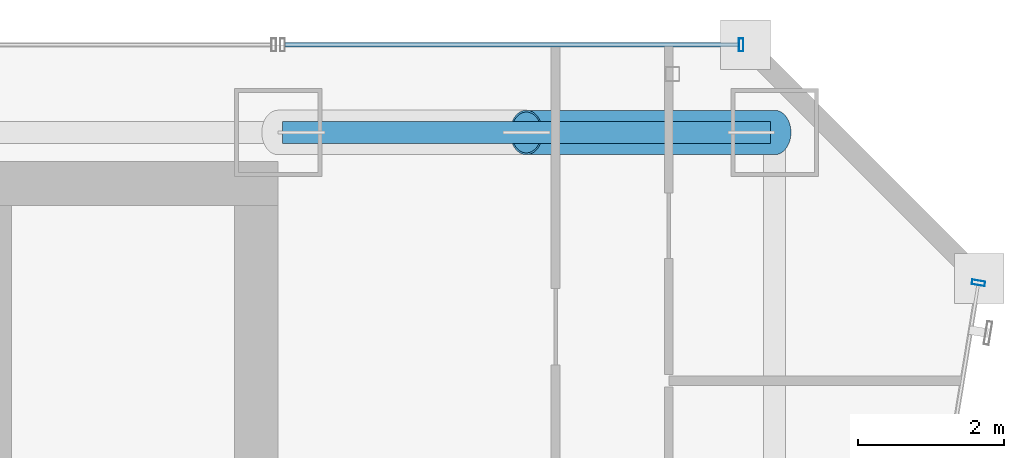
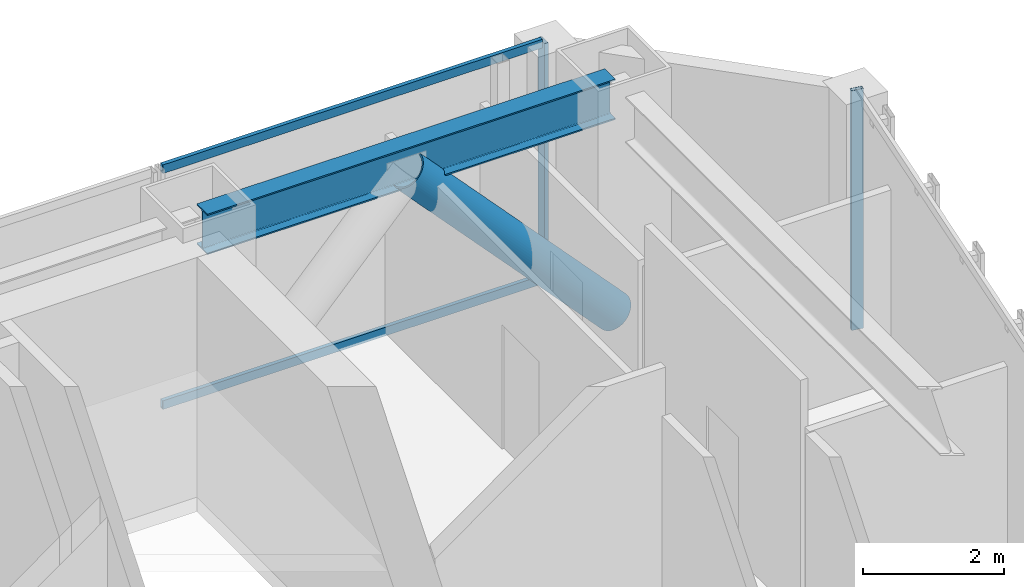
# One storey, part 33 of 47: 5 members, 1 beam, 2 elements without a shape of their own.
"""IFC4 building model written with IfcOpenShell, lengths in metres."""

import ifcopenshell
import ifcopenshell.guid

model = None  # the IFC model being written
_history = None  # IfcOwnerHistory: only IFC2X3 demands one
_inside = {}  # id of a spatial element -> (the spatial element, [elements in it])
_under = {}  # id of a project, library or spatial element -> (it, [spatial elements below it])
_declared = {}  # id of a project -> (the project, [libraries it declares])
_typed = {}  # id of a type object -> (the type object, [elements of that type])
_made_of = {}  # id of a material, layer set ... -> (it, [elements and type objects made of it])


def new_model(schema):
    """Start an empty IFC model of exactly this schema.

    Asked for "IFC4X3", IfcOpenShell would pick the latest addendum, in which some entities
    have other attributes; the version numbers below select the first issue.
    IFC2X3 requires an IfcOwnerHistory on every rooted entity: one is made here for all.
    """
    global model, _history
    if schema == "IFC4X3":
        model = ifcopenshell.file(schema_version=(4, 3, 0, 0))
    else:
        model = ifcopenshell.file(schema=schema)
    _inside.clear()
    _under.clear()
    _declared.clear()
    _typed.clear()
    _made_of.clear()
    _history = None
    if model.schema == "IFC2X3":
        org = make("IfcOrganization", Name="unknown")
        user = make(
            "IfcPersonAndOrganization",
            ThePerson=make("IfcPerson", FamilyName="unknown"),
            TheOrganization=org,
        )
        app = make(
            "IfcApplication",
            ApplicationDeveloper=org,
            Version="unknown",
            ApplicationFullName="unknown",
            ApplicationIdentifier="unknown",
        )
        _history = make(
            "IfcOwnerHistory",
            OwningUser=user,
            OwningApplication=app,
            ChangeAction="ADDED",
            CreationDate=0,
        )
    return model


def make(cls, **values):
    """One entity of the class cls with the attributes given. An attribute that is None is left unset."""
    return model.create_entity(
        cls, **{name: value for name, value in values.items() if value is not None}
    )


def rooted(cls, **values):
    """An entity with a GlobalId (a new one), such as an element, a storey or a relation."""
    return make(cls, GlobalId=ifcopenshell.guid.new(), OwnerHistory=_history, **values)


def si_unit(unit_type, name, prefix=None):
    """IfcSIUnit, for example si_unit("LENGTHUNIT", "METRE", prefix="MILLI")."""
    return make("IfcSIUnit", UnitType=unit_type, Prefix=prefix, Name=name)


def assignment(units):
    """IfcUnitAssignment: the units of a project."""
    return None if units is None else make("IfcUnitAssignment", Units=units)


def point(xyz):
    """IfcCartesianPoint."""
    return None if xyz is None else make("IfcCartesianPoint", Coordinates=xyz)


def direction(xyz):
    """IfcDirection."""
    return None if xyz is None else make("IfcDirection", DirectionRatios=xyz)


def frame(location, z_axis=None, x_axis=None):
    """IfcAxis2Placement3D, a coordinate frame: its origin and axes. An axis left out is left unset."""
    return make(
        "IfcAxis2Placement3D",
        Location=point(location),
        Axis=direction(z_axis),
        RefDirection=direction(x_axis),
    )


def frame_2d(location, x_axis=None):
    """IfcAxis2Placement2D, a coordinate frame in the plane: its origin and x axis."""
    return make(
        "IfcAxis2Placement2D", Location=point(location), RefDirection=direction(x_axis)
    )


def origin():
    """The frame at (0, 0, 0) with its axes left unset."""
    return frame((0.0, 0.0, 0.0))


def origin_2d():
    """The frame at (0, 0) in the plane with its x axis left unset."""
    return frame_2d((0.0, 0.0))


def place(relative_to, where):
    """IfcLocalPlacement: puts the frame where relative to a parent placement (None: the world)."""
    return make(
        "IfcLocalPlacement", PlacementRelTo=relative_to, RelativePlacement=where
    )


def context(
    kind, dimensions, precision=None, world=None, true_north=None, identifier=None
):
    """IfcGeometricRepresentationContext, for example the 3D "Model" context."""
    return make(
        "IfcGeometricRepresentationContext",
        ContextIdentifier=identifier,
        ContextType=kind,
        CoordinateSpaceDimension=dimensions,
        Precision=precision,
        WorldCoordinateSystem=world,
        TrueNorth=true_north,
    )


def subcontext(parent, identifier, kind, view, scale=None):
    """IfcGeometricRepresentationSubContext, for example "Body" below "Model"."""
    return make(
        "IfcGeometricRepresentationSubContext",
        ContextIdentifier=identifier,
        ContextType=kind,
        ParentContext=parent,
        TargetScale=scale,
        TargetView=view,
    )


def project(units=None, contexts=None):
    """IfcProject with its units and contexts."""
    return rooted(
        "IfcProject",
        Name="project",
        RepresentationContexts=contexts,
        UnitsInContext=assignment(units),
    )


def spatial(cls, under=None, at=None, **own):
    """A site, building, storey or space (cls), placed at a placement, below another one or the project."""
    s = rooted(cls, ObjectPlacement=at, **own)
    if under is not None:
        _under.setdefault(under.id(), (under, []))[1].append(s)
    return s


def profile(cls, at=None, kind="AREA", **sizes):
    """A parametric profile (cls). Its sizes go by their IFC names, for example OverallWidth=200.0."""
    return make(cls, ProfileType=kind, Position=at, **sizes)


def hollow_rectangle(**sizes):
    """IfcRectangleHollowProfileDef."""
    return profile("IfcRectangleHollowProfileDef", **sizes)


def hollow_circle(**sizes):
    """IfcCircleHollowProfileDef."""
    return profile("IfcCircleHollowProfileDef", **sizes)


def i_section(**sizes):
    """IfcIShapeProfileDef."""
    return profile("IfcIShapeProfileDef", **sizes)


def extrude(swept, where, along, depth):
    """IfcExtrudedAreaSolid: the profile swept, set in the frame where, extruded along a direction by depth."""
    return make(
        "IfcExtrudedAreaSolid",
        SweptArea=swept,
        Position=where,
        ExtrudedDirection=direction(along),
        Depth=depth,
    )


def shape(context_of_items, identifier, shape_type, items):
    """IfcShapeRepresentation: the items that make up one representation, for example the "Body"."""
    return make(
        "IfcShapeRepresentation",
        ContextOfItems=context_of_items,
        RepresentationIdentifier=identifier,
        RepresentationType=shape_type,
        Items=items,
    )


def material(Name=None, Category=None):
    """IfcMaterial."""
    return make("IfcMaterial", Name=Name, Category=Category)


def material_profile(
    of_material, cross_section, Name=None, Category=None, Priority=None
):
    """IfcMaterialProfile: a cross section and its material."""
    return make(
        "IfcMaterialProfile",
        Name=Name,
        Material=of_material,
        Profile=cross_section,
        Priority=Priority,
        Category=Category,
    )


def profile_set(profiles, Name=None, composite=None):
    """IfcMaterialProfileSet."""
    return make(
        "IfcMaterialProfileSet",
        Name=Name,
        MaterialProfiles=profiles,
        CompositeProfile=composite,
    )


def made_of(thing, what):
    """Note that an element or type object is made of a material, layer set ...; save() writes the relation."""
    if what is not None:
        _made_of.setdefault(what.id(), (what, []))[1].append(thing)
    return thing


def type_object(cls, material=None, **own):
    """A type object (cls), such as IfcWallType, which elements share."""
    return made_of(rooted(cls, **own), material)


def element(
    cls,
    number,
    at=None,
    inside=None,
    cuts=None,
    type_object=None,
    material=None,
    context=None,
    identifier="Body",
    shape_type=None,
    held_by="IfcProductDefinitionShape",
    body=None,
    shapes=None,
    **own,
):
    """One element of the class cls, such as IfcWall. Its Tag is "e" and its number.

    at: its placement. inside: the storey or other place that contains it. cuts: it is an
    opening in that element (IfcRelVoidsElement). A single representation is given by context,
    identifier, shape_type and body (its items); several are given by shapes. held_by: the class
    of the entity that holds the representations. save() writes the other relations.
    """
    e = rooted(cls, Tag="e%d" % number, ObjectPlacement=at, **own)
    if body is not None:
        shapes = [shape(context, identifier, shape_type, body)]
    if shapes is not None:
        e.Representation = make(held_by, Representations=shapes)
    if inside is not None:
        _inside.setdefault(inside.id(), (inside, []))[1].append(e)
    if cuts is not None:
        rooted(
            "IfcRelVoidsElement", RelatingBuildingElement=cuts, RelatedOpeningElement=e
        )
    if type_object is not None:
        _typed.setdefault(type_object.id(), (type_object, []))[1].append(e)
    return made_of(e, material)


def aggregate(whole, parts):
    """IfcRelAggregates: a whole, such as a stair, and the parts it consists of."""
    return rooted("IfcRelAggregates", RelatingObject=whole, RelatedObjects=parts)


def save(model, path):
    """Write the relations noted so far, then the file.

    IfcRelAggregates (storeys below a building ...), IfcRelContainedInSpatialStructure (elements
    in a storey), IfcRelDefinesByType, IfcRelAssociatesMaterial and IfcRelDeclares: one each for
    every whole, place, type object, material and project.
    """
    for whole, parts in _under.values():
        aggregate(whole, parts)
    for where, things in _inside.values():
        rooted(
            "IfcRelContainedInSpatialStructure",
            RelatedElements=things,
            RelatingStructure=where,
        )
    for kind, things in _typed.values():
        rooted("IfcRelDefinesByType", RelatedObjects=things, RelatingType=kind)
    for what, things in _made_of.values():
        rooted("IfcRelAssociatesMaterial", RelatedObjects=things, RelatingMaterial=what)
    for by, libraries in _declared.values():
        rooted("IfcRelDeclares", RelatingContext=by, RelatedDefinitions=libraries)
    model.write(path)


model = new_model("IFC4")

# Units and contexts
model_context = context("Model", 3, precision=1e-05, world=origin(), true_north=direction((0.0, 1.0)))
body_context = subcontext(model_context, "Body", "Model", "MODEL_VIEW")
ifc_project = project(units=[si_unit("LENGTHUNIT", "METRE"), si_unit("AREAUNIT", "SQUARE_METRE"), si_unit("VOLUMEUNIT", "CUBIC_METRE"), si_unit("PLANEANGLEUNIT", "RADIAN"), si_unit("MASSUNIT", "GRAM", prefix="KILO")], contexts=[model_context])

# Site, building, storey
site_placement = place(None, origin())
site = spatial("IfcSite", under=ifc_project, at=site_placement, CompositionType="ELEMENT")
building_placement = place(site_placement, origin())
building = spatial("IfcBuilding", under=site, at=building_placement, Name="Saevonmaru Cultural Tower", CompositionType="ELEMENT")
storey_placement = place(building_placement, frame((0.0, 0.0, 42.800048828125)))
storey = spatial("IfcBuildingStorey", under=building, at=storey_placement, Name="L08", CompositionType="ELEMENT", Elevation=42.800048828125)

# Beam
ifc_material_1 = material(Name="Steel SM355", Category="steel")
ifc_material_profile_1 = material_profile(ifc_material_1, i_section(OverallWidth=0.300048828125, OverallDepth=0.699951171875, WebThickness=0.012939453125, FlangeThickness=0.02392578125, FilletRadius=0.02587890625, at=origin_2d()), Name="H-700x300x13x24")
ifc_profile_set_1 = profile_set([ifc_material_profile_1], Name="Steel SM355")
beam_type = type_object("IfcBeamType", Name="BM-SP-H700", PredefinedType="SPANDREL", material=ifc_profile_set_1)
beam_placement = place(storey_placement, frame((46.4599609375, 54.800048828125, 3.800048828125), z_axis=(1.0, 0.0, 0.0), x_axis=(0.0, 1.0, 0.0)))
element("IfcBeam", 1, at=beam_placement, inside=storey, type_object=beam_type, Name="L08 North Spine Girder 5", PredefinedType="SPANDREL", context=body_context, shape_type="SweptSolid", body=[
    extrude(i_section(OverallWidth=0.300048828125, OverallDepth=0.699951171875, WebThickness=0.012939453125, FlangeThickness=0.02392578125, FilletRadius=0.02587890625, at=origin_2d()), origin(), (0.0, 0.0, 1.0), 6.679931640625),
])

# Member
ifc_material_2 = material(Name="Steel HSA600 (600 MPa)", Category="steel")
ifc_material_profile_2 = material_profile(ifc_material_2, hollow_circle(Radius=0.3046875, WallThickness=0.02490234375, at=origin_2d()), Name="CHS-609.6x25")
ifc_profile_set_2 = profile_set([ifc_material_profile_2], Name="Steel HSA600 (600 MPa)")
member_type_1 = type_object("IfcMemberType", Name="MB-PBR-CHS610", PredefinedType="BRACE", material=ifc_profile_set_2)
member_1_placement = place(storey_placement, frame((53.199951171875, 54.800048828125, 0.02001953125), z_axis=(-0.681602937137, 0.0, 0.73172223971), x_axis=(0.0, -1.0, 0.0)))
element("IfcMember", 2, at=member_1_placement, inside=storey, type_object=member_type_1, Name="L08 Perimeter Braced-Tube Diagonal EN2", PredefinedType="BRACE", context=body_context, shape_type="SweptSolid", body=[
    extrude(hollow_circle(Radius=0.3046875, WallThickness=0.02490234375, at=origin_2d()), origin(), (0.0, 0.0, 1.0), 4.988037109375),
])

# Curtain wall, member
ifc_material_3 = material(Name="Satin Bronze Anodised Aluminium", Category="aluminium")
curtain_wall_type = type_object("IfcCurtainWallType", Name="CW-TYP-A", PredefinedType="NOTDEFINED", material=ifc_material_3)
curtain_wall_1_placement = place(storey_placement, origin())
curtain_wall_1 = element("IfcCurtainWall", 3, at=curtain_wall_1_placement, inside=storey, type_object=curtain_wall_type, Name="L08 Unitised Curtain Wall E8", PredefinedType="NOTDEFINED")
ifc_material_profile_3 = material_profile(ifc_material_3, hollow_rectangle(XDim=0.06494140625, YDim=0.179931640625, WallThickness=0.00390625, at=origin_2d()), Name="ALU-MULL-180x65x4")
ifc_profile_set_3 = profile_set([ifc_material_profile_3], Name="Satin Bronze Anodised Aluminium")
member_type_2 = type_object("IfcMemberType", Name="ML-CW-180x65", PredefinedType="MULLION", material=ifc_profile_set_3)
member_2_placement = place(storey_placement, frame((55.990234375, 52.74072265625, 0.0), z_axis=(0.0, 0.0, 1.0), x_axis=(0.161708868641, 0.986838508472, 0.0)))
member_2 = element("IfcMember", 4, at=member_2_placement, type_object=member_type_2, Name="CW-TW-L08-E8 mullion 5", PredefinedType="MULLION", context=body_context, shape_type="SweptSolid", body=[
    extrude(hollow_rectangle(XDim=0.06494140625, YDim=0.179931640625, WallThickness=0.00390625, at=origin_2d()), origin(), (0.0, 0.0, 1.0), 4.14990234375),
])
aggregate(curtain_wall_1, [member_2])

# Curtain wall, members
curtain_wall_2_placement = place(storey_placement, origin())
curtain_wall_2 = element("IfcCurtainWall", 5, at=curtain_wall_2_placement, inside=storey, type_object=curtain_wall_type, Name="L08 East Braced Bay Spandrel Curtain Wall E10A", PredefinedType="NOTDEFINED")
member_3_placement = place(storey_placement, frame((52.739990234375, 56.0, 0.0), z_axis=(0.0, 0.0, 1.0), x_axis=(-1.0, 0.0, 0.0)))
member_3 = element("IfcMember", 6, at=member_3_placement, type_object=member_type_2, Name="CW-TW-L08-E10A mullion 1", PredefinedType="MULLION", context=body_context, shape_type="SweptSolid", body=[
    extrude(hollow_rectangle(XDim=0.06494140625, YDim=0.179931640625, WallThickness=0.00390625, at=origin_2d()), origin(), (0.0, 0.0, 1.0), 4.14990234375),
])
ifc_material_profile_4 = material_profile(ifc_material_3, hollow_rectangle(XDim=0.06494140625, YDim=0.14990234375, WallThickness=0.00390625, at=origin_2d()), Name="ALU-TRAN-150x65x4")
ifc_profile_set_4 = profile_set([ifc_material_profile_4], Name="Satin Bronze Anodised Aluminium")
member_type_3 = type_object("IfcMemberType", Name="TR-CW-150x65", PredefinedType="USERDEFINED", material=ifc_profile_set_4)
member_4_placement = place(storey_placement, frame((52.70751953125, 56.0, 0.032470703125), z_axis=(-1.0, 0.0, 0.0), x_axis=(0.0, -1.0, 0.0)))
member_4 = element("IfcMember", 7, at=member_4_placement, type_object=member_type_3, Name="CW-TW-L08-E10A transom 1.1", ObjectType="TRANSOM", PredefinedType="USERDEFINED", context=body_context, shape_type="SweptSolid", body=[
    extrude(hollow_rectangle(XDim=0.06494140625, YDim=0.14990234375, WallThickness=0.00390625, at=origin_2d()), origin(), (0.0, 0.0, 1.0), 6.215087890625),
])
member_5_placement = place(storey_placement, frame((52.70751953125, 56.0, 4.117431640625), z_axis=(-1.0, 0.0, 0.0), x_axis=(0.0, -1.0, 0.0)))
member_5 = element("IfcMember", 8, at=member_5_placement, type_object=member_type_3, Name="CW-TW-L08-E10A transom 1.2", ObjectType="TRANSOM", PredefinedType="USERDEFINED", context=body_context, shape_type="SweptSolid", body=[
    extrude(hollow_rectangle(XDim=0.06494140625, YDim=0.14990234375, WallThickness=0.00390625, at=origin_2d()), origin(), (0.0, 0.0, 1.0), 6.215087890625),
])
aggregate(curtain_wall_2, [member_3, member_4, member_5])

save(model, "model.ifc")
